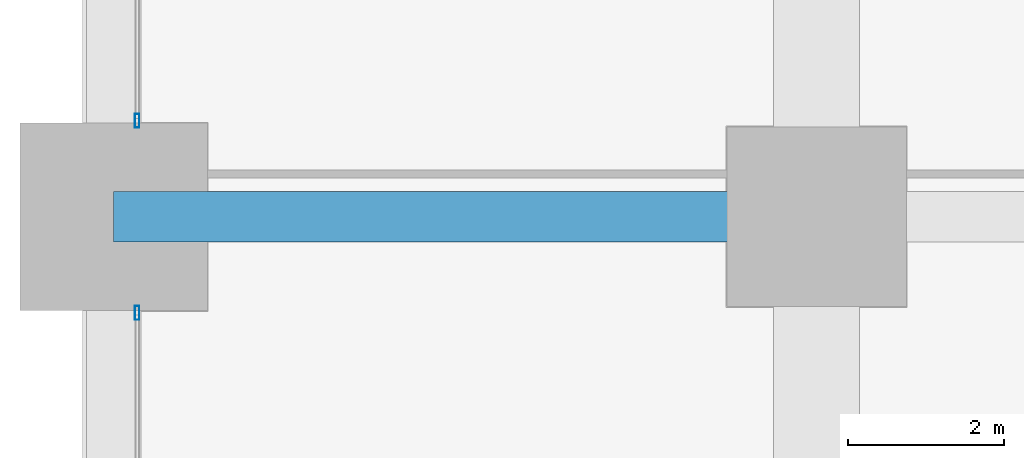
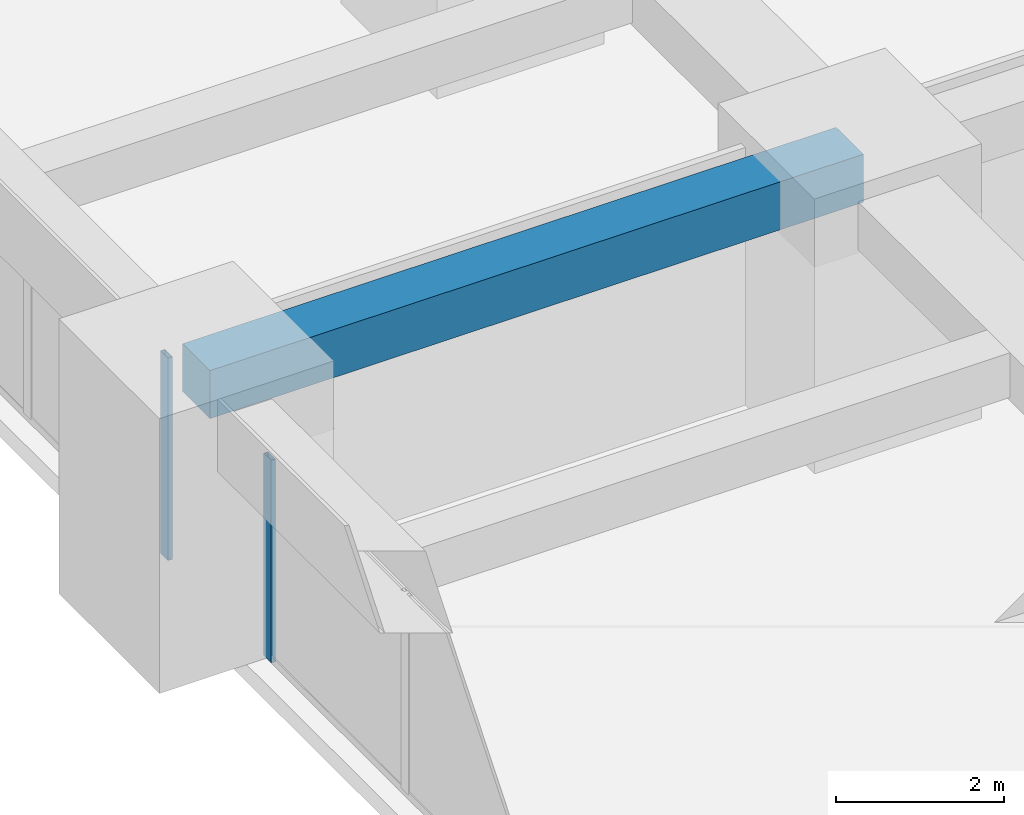
# One storey, part 23 of 45: 2 members, 1 beam, 2 elements without a shape of their own.
"""IFC4 building model written with IfcOpenShell, lengths in metres."""

from ifc_helpers import new_model, si_unit, direction, frame, origin, origin_2d, place, context, subcontext, project, spatial, rectangle, hollow_rectangle, extrude, material, material_profile, profile_set, type_object, element, aggregate, save


model = new_model("IFC4")

# Units and contexts
model_context = context("Model", 3, precision=1e-05, world=origin(), true_north=direction((0.0, 1.0)))
body_context = subcontext(model_context, "Body", "Model", "MODEL_VIEW")
ifc_project = project(units=[si_unit("LENGTHUNIT", "METRE"), si_unit("AREAUNIT", "SQUARE_METRE"), si_unit("VOLUMEUNIT", "CUBIC_METRE"), si_unit("PLANEANGLEUNIT", "RADIAN"), si_unit("MASSUNIT", "GRAM", prefix="KILO")], contexts=[model_context])

# Site, building, storey
site_placement = place(None, origin())
site = spatial("IfcSite", under=ifc_project, at=site_placement, CompositionType="ELEMENT")
building_placement = place(site_placement, origin())
building = spatial("IfcBuilding", under=site, at=building_placement, Name="Zorevar Civic Tower", CompositionType="ELEMENT")
storey_placement = place(building_placement, frame((0.0, 0.0, 27.800048828125)))
storey = spatial("IfcBuildingStorey", under=building, at=storey_placement, Name="L06", CompositionType="ELEMENT", Elevation=27.800048828125)

# Beam
ifc_material_1 = material(Name="Concrete C50/60", Category="concrete")
ifc_material_profile_1 = material_profile(ifc_material_1, rectangle(XDim=0.64990234375, YDim=0.699951171875, at=origin_2d()), Name="RC 650x700")
ifc_profile_set_1 = profile_set([ifc_material_profile_1], Name="Concrete C50/60")
beam_type = type_object("IfcBeamType", Name="Beam RC 650x700", PredefinedType="BEAM", material=ifc_profile_set_1)
beam_placement = place(storey_placement, frame((0.0, 36.0, 3.39990234375), z_axis=(1.0, 0.0, 0.0), x_axis=(0.0, 1.0, 0.0)))
element("IfcBeam", 1, at=beam_placement, inside=storey, type_object=beam_type, Name="Girder L07", PredefinedType="BEAM", context=body_context, shape_type="SweptSolid", body=[
    extrude(rectangle(XDim=0.64990234375, YDim=0.699951171875, at=origin_2d()), origin(), (0.0, 0.0, 1.0), 9.0),
])

# Curtain wall, member
ifc_material_2 = material(Name="Dark grey solar-control glass in black aluminium frame", Category="aluminium")
curtain_wall_type = type_object("IfcCurtainWallType", Name="Curtain wall CW2 low zone", PredefinedType="NOTDEFINED", material=ifc_material_2)
curtain_wall_1_placement = place(storey_placement, origin())
curtain_wall_1 = element("IfcCurtainWall", 2, at=curtain_wall_1_placement, inside=storey, type_object=curtain_wall_type, Name="CW2 L06", PredefinedType="NOTDEFINED")
ifc_material_3 = material(Name="Aluminium, black anodised", Category="aluminium")
ifc_material_profile_2 = material_profile(ifc_material_3, hollow_rectangle(XDim=0.06005859375, YDim=0.179931640625, WallThickness=0.00390625, at=origin_2d()), Name="AL 180x60x4")
ifc_profile_set_2 = profile_set([ifc_material_profile_2], Name="Aluminium, black anodised")
member_type = type_object("IfcMemberType", Name="CW2 mullion AL 180x60x4", PredefinedType="MULLION", material=ifc_profile_set_2)
member_1_placement = place(storey_placement, frame((0.300048828125, 34.77001953125, 0.0), z_axis=(0.0, 0.0, 1.0), x_axis=(-1.0, 0.0, 0.0)))
member_1 = element("IfcMember", 3, at=member_1_placement, type_object=member_type, Name="CW2 mullion 3", PredefinedType="MULLION", context=body_context, shape_type="SweptSolid", body=[
    extrude(hollow_rectangle(XDim=0.06005859375, YDim=0.179931640625, WallThickness=0.00390625, at=origin_2d()), origin(), (0.0, 0.0, 1.0), 2.949951171875),
])
aggregate(curtain_wall_1, [member_1])

curtain_wall_2_placement = place(storey_placement, origin())
curtain_wall_2 = element("IfcCurtainWall", 4, at=curtain_wall_2_placement, inside=storey, type_object=curtain_wall_type, Name="CW2 L06", PredefinedType="NOTDEFINED")
member_2_placement = place(storey_placement, frame((0.300048828125, 37.22998046875, 0.0), z_axis=(0.0, 0.0, 1.0), x_axis=(-1.0, 0.0, 0.0)))
member_2 = element("IfcMember", 5, at=member_2_placement, type_object=member_type, Name="CW2 mullion 1", PredefinedType="MULLION", context=body_context, shape_type="SweptSolid", body=[
    extrude(hollow_rectangle(XDim=0.06005859375, YDim=0.179931640625, WallThickness=0.00390625, at=origin_2d()), origin(), (0.0, 0.0, 1.0), 2.949951171875),
])
aggregate(curtain_wall_2, [member_2])

save(model, "model.ifc")
